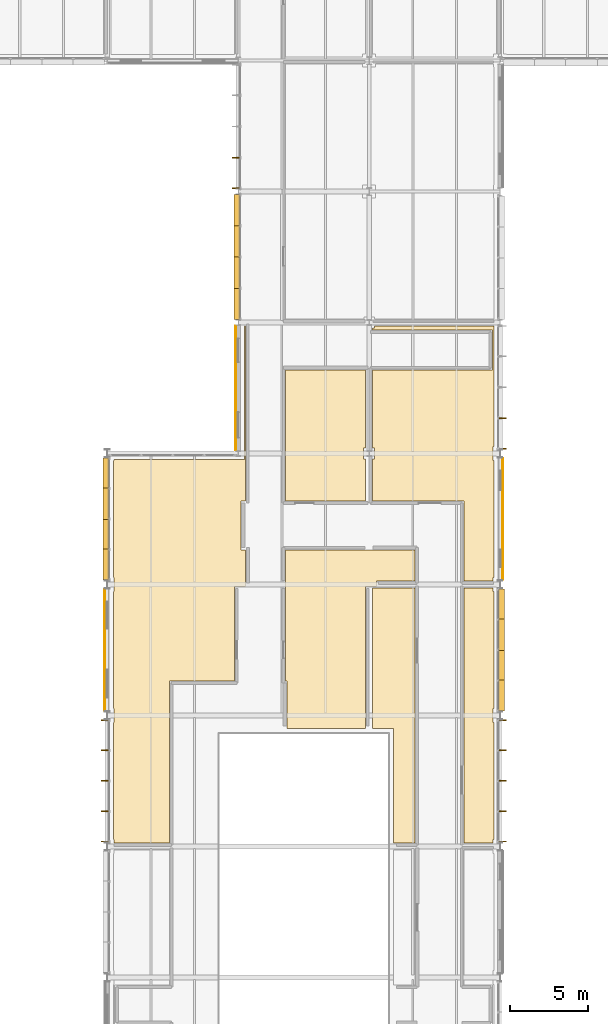
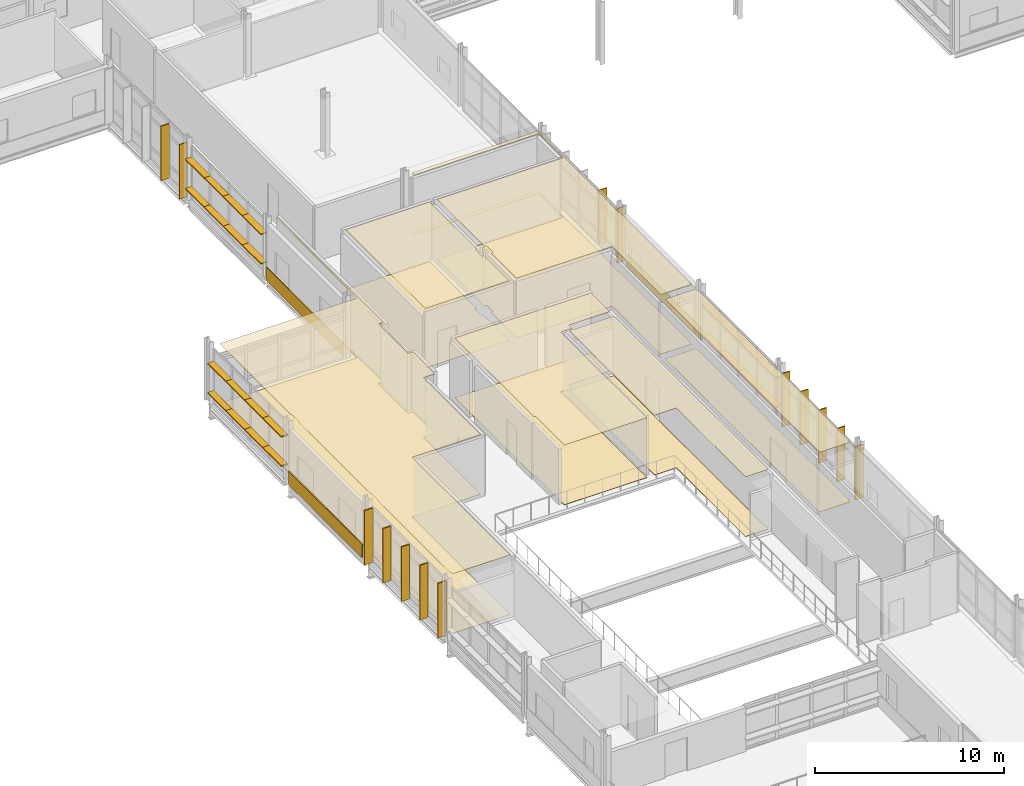
# One storey, part 124 of 131: 38 shading devices, 15 coverings.
"""IFC4 building model written with IfcOpenShell, lengths in metres."""

from ifc_helpers import new_model, si_unit, direction, frame, origin, origin_2d, place, context, subcontext, project, spatial, polyline, rectangle, outline, extrude, material, layer, layer_set, type_object, element, save


model = new_model("IFC4")

# Units and contexts
model_context = context("Model", 3, precision=1e-05, world=origin(), true_north=direction((0.0, 1.0)))
body_context = subcontext(model_context, "Body", "Model", "MODEL_VIEW")
ifc_project = project(units=[si_unit("LENGTHUNIT", "METRE"), si_unit("AREAUNIT", "SQUARE_METRE"), si_unit("VOLUMEUNIT", "CUBIC_METRE"), si_unit("PLANEANGLEUNIT", "RADIAN"), si_unit("MASSUNIT", "GRAM", prefix="KILO")], contexts=[model_context])

# Site, building, storey
site_placement = place(None, origin())
site = spatial("IfcSite", under=ifc_project, at=site_placement, CompositionType="ELEMENT")
building_placement = place(site_placement, origin())
building = spatial("IfcBuilding", under=site, at=building_placement, Name="Mersafa Astral City Hall", CompositionType="ELEMENT")
storey_placement = place(building_placement, frame((0.0, 0.0, 13.949951171875)))
storey = spatial("IfcBuildingStorey", under=building, at=storey_placement, Name="L03", CompositionType="ELEMENT", Elevation=13.949951171875)

# Coverings
ifc_material_1 = material(Name="Cairo Mokattam buff limestone cladding", Category="masonry")
ifc_layer_1 = layer(ifc_material_1, 0.06005859375, Name="Cairo Mokattam buff limestone cladding")
ifc_layer_set_1 = layer_set([ifc_layer_1], Name="Cairo Mokattam buff limestone cladding — ENV-COV-LIMESTONE-60")
covering_type_1 = type_object("IfcCoveringType", Name="ENV-COV-LIMESTONE-60", PredefinedType="CLADDING", material=ifc_layer_set_1)
covering_1_placement = place(storey_placement, frame((117.76953125, 88.199951171875, 0.0), z_axis=(0.0, 0.0, 1.0), x_axis=(0.0, 1.0, 0.0)))
element("IfcCovering", 1, at=covering_1_placement, inside=storey, type_object=covering_type_1, Name="L03 Cairo buff limestone rainscreen cladding 221", PredefinedType="CLADDING", context=body_context, shape_type="SweptSolid", body=[
    extrude(rectangle(XDim=7.798095703125, YDim=0.06005859375, at=origin_2d()), origin(), (0.0, 0.0, 1.0), 0.860107421875),
])
covering_2_placement = place(storey_placement, frame((100.6455078125, 96.594970703125, 0.0), z_axis=(0.0, 0.0, 1.0), x_axis=(0.0, -1.0, 0.0)))
element("IfcCovering", 2, at=covering_2_placement, inside=storey, type_object=covering_type_1, Name="L03 Cairo buff limestone rainscreen cladding 265", PredefinedType="CLADDING", context=body_context, shape_type="SweptSolid", body=[
    extrude(rectangle(XDim=7.998046875, YDim=0.06005859375, at=origin_2d()), origin(), (0.0, 0.0, 1.0), 0.860107421875),
])
covering_3_placement = place(storey_placement, frame((92.2529296875, 79.800048828125, 0.0), z_axis=(0.0, 0.0, 1.0), x_axis=(0.0, -1.0, 0.0)))
element("IfcCovering", 3, at=covering_3_placement, inside=storey, type_object=covering_type_1, Name="L03 Cairo buff limestone rainscreen cladding 266", PredefinedType="CLADDING", context=body_context, shape_type="SweptSolid", body=[
    extrude(rectangle(XDim=7.798095703125, YDim=0.06005859375, at=origin_2d()), origin(), (0.0, 0.0, 1.0), 0.860107421875),
])

# Shading devices
ifc_material_2 = material(Name="Anodised bronze aluminium solar fin", Category="aluminium")
shading_device_type_1 = type_object("IfcShadingDeviceType", Name="ENV-SHD-FIN-500A", PredefinedType="USERDEFINED", material=ifc_material_2)
for number, where, z_axis, x_axis, name in (
    (4, (117.7451171875, 67.51708984375, -0.014892578125), (0.0, 0.0, 1.0), (0.0, 1.0, 0.0), "L03 Vertical bronze solar fin 981"),
    (5, (117.7451171875, 69.443603515625, -0.014892578125), (0.0, 0.0, 1.0), (0.0, 1.0, 0.0), "L03 Vertical bronze solar fin 982"),
    (6, (117.7451171875, 71.39990234375, -0.014892578125), (0.0, 0.0, 1.0), (0.0, 1.0, 0.0), "L03 Vertical bronze solar fin 983"),
    (7, (117.7451171875, 73.3564453125, -0.014892578125), (0.0, 0.0, 1.0), (0.0, 1.0, 0.0), "L03 Vertical bronze solar fin 984"),
    (8, (117.7451171875, 75.282958984375, -0.014892578125), (0.0, 0.0, 1.0), (0.0, 1.0, 0.0), "L03 Vertical bronze solar fin 985"),
):
    element("IfcShadingDevice", number, at=place(storey_placement, frame(where, z_axis=z_axis, x_axis=x_axis)), inside=storey, type_object=shading_device_type_1, Name=name, ObjectType="FIN", PredefinedType="USERDEFINED", context=body_context, shape_type="SweptSolid", body=[
        extrude(rectangle(XDim=0.06005859375, YDim=0.5, at=origin_2d()), origin(), (0.0, 0.0, 1.0), 3.43701171875),
    ])
for number, where, z_axis, x_axis, name in (
    (9, (117.7451171875, 92.717041015625, -0.01513671875), (0.0, 0.0, 1.0), (0.0, 1.0, 0.0), "L03 Vertical bronze solar fin 994"),
    (10, (117.7451171875, 94.667236328125, -0.01513671875), (0.0, 0.0, 1.0), (0.0, 1.0, 0.0), "L03 Vertical bronze solar fin 995"),
    (11, (100.655029296875, 111.377197265625, -0.01513671875), (0.0, 0.0, 1.0), (0.0, -1.0, 0.0), "L03 Vertical bronze solar fin 1163"),
    (12, (100.655029296875, 109.412109375, -0.01513671875), (0.0, 0.0, 1.0), (0.0, -1.0, 0.0), "L03 Vertical bronze solar fin 1164"),
    (13, (92.2548828125, 75.282958984375, -0.01513671875), (0.0, 0.0, 1.0), (0.0, -1.0, 0.0), "L03 Vertical bronze solar fin 1181"),
    (14, (92.2548828125, 73.3564453125, -0.01513671875), (0.0, 0.0, 1.0), (0.0, -1.0, 0.0), "L03 Vertical bronze solar fin 1182"),
    (15, (92.2548828125, 71.39990234375, -0.01513671875), (0.0, 0.0, 1.0), (0.0, -1.0, 0.0), "L03 Vertical bronze solar fin 1183"),
    (16, (92.2548828125, 69.443603515625, -0.01513671875), (0.0, 0.0, 1.0), (0.0, -1.0, 0.0), "L03 Vertical bronze solar fin 1184"),
    (17, (92.2548828125, 67.51708984375, -0.01513671875), (0.0, 0.0, 1.0), (0.0, -1.0, 0.0), "L03 Vertical bronze solar fin 1185"),
):
    element("IfcShadingDevice", number, at=place(storey_placement, frame(where, z_axis=z_axis, x_axis=x_axis)), inside=storey, type_object=shading_device_type_1, Name=name, ObjectType="FIN", PredefinedType="USERDEFINED", context=body_context, shape_type="SweptSolid", body=[
        extrude(rectangle(XDim=0.06005859375, YDim=0.5, at=origin_2d()), origin(), (0.0, 0.0, 1.0), 3.527099609375),
    ])
ifc_material_3 = material(Name="Kiln-dried cedar timber brise-soleil blade", Category="wood")
shading_device_type_2 = type_object("IfcShadingDeviceType", Name="ENV-SHD-LOUVRE-380", PredefinedType="JALOUSIE", material=ifc_material_3)
shading_device_1_placement = place(storey_placement, frame((117.679931640625, 76.88037109375, 0.81494140625), z_axis=(0.0, 0.0, 1.0), x_axis=(0.0, 1.0, 0.0)))
element("IfcShadingDevice", 18, at=shading_device_1_placement, inside=storey, type_object=shading_device_type_2, Name="L03 Horizontal cedar brise-soleil louvre 986", PredefinedType="JALOUSIE", context=body_context, shape_type="SweptSolid", body=[
    extrude(rectangle(XDim=1.966552734375, YDim=0.3798828125, at=origin_2d()), origin(), (0.0, 0.0, 1.0), 0.070068359375),
])
for number, where, z_axis, x_axis, name in (
    (19, (117.679931640625, 78.82177734375, 0.81494140625), (0.0, 0.0, 1.0), (0.0, 1.0, 0.0), "L03 Horizontal cedar brise-soleil louvre 987"),
    (20, (117.679931640625, 80.7783203125, 0.81494140625), (0.0, 0.0, 1.0), (0.0, 1.0, 0.0), "L03 Horizontal cedar brise-soleil louvre 988"),
):
    element("IfcShadingDevice", number, at=place(storey_placement, frame(where, z_axis=z_axis, x_axis=x_axis)), inside=storey, type_object=shading_device_type_2, Name=name, PredefinedType="JALOUSIE", context=body_context, shape_type="SweptSolid", body=[
        extrude(rectangle(XDim=1.99658203125, YDim=0.3798828125, at=origin_2d()), origin(), (0.0, 0.0, 1.0), 0.070068359375),
    ])
for number, where, z_axis, x_axis, name in (
    (21, (117.679931640625, 82.7197265625, 0.81494140625), (0.0, 0.0, 1.0), (0.0, 1.0, 0.0), "L03 Horizontal cedar brise-soleil louvre 989"),
    (22, (117.679931640625, 76.88037109375, 2.71484375), (0.0, 0.0, 1.0), (0.0, 1.0, 0.0), "L03 Horizontal cedar brise-soleil louvre 990"),
):
    element("IfcShadingDevice", number, at=place(storey_placement, frame(where, z_axis=z_axis, x_axis=x_axis)), inside=storey, type_object=shading_device_type_2, Name=name, PredefinedType="JALOUSIE", context=body_context, shape_type="SweptSolid", body=[
        extrude(rectangle(XDim=1.966552734375, YDim=0.3798828125, at=origin_2d()), origin(), (0.0, 0.0, 1.0), 0.070068359375),
    ])
for number, where, z_axis, x_axis, name in (
    (23, (117.679931640625, 78.82177734375, 2.71484375), (0.0, 0.0, 1.0), (0.0, 1.0, 0.0), "L03 Horizontal cedar brise-soleil louvre 991"),
    (24, (117.679931640625, 80.7783203125, 2.71484375), (0.0, 0.0, 1.0), (0.0, 1.0, 0.0), "L03 Horizontal cedar brise-soleil louvre 992"),
):
    element("IfcShadingDevice", number, at=place(storey_placement, frame(where, z_axis=z_axis, x_axis=x_axis)), inside=storey, type_object=shading_device_type_2, Name=name, PredefinedType="JALOUSIE", context=body_context, shape_type="SweptSolid", body=[
        extrude(rectangle(XDim=1.99658203125, YDim=0.3798828125, at=origin_2d()), origin(), (0.0, 0.0, 1.0), 0.070068359375),
    ])
shading_device_2_placement = place(storey_placement, frame((117.679931640625, 82.7197265625, 2.71484375), z_axis=(0.0, 0.0, 1.0), x_axis=(0.0, 1.0, 0.0)))
element("IfcShadingDevice", 25, at=shading_device_2_placement, inside=storey, type_object=shading_device_type_2, Name="L03 Horizontal cedar brise-soleil louvre 993", PredefinedType="JALOUSIE", context=body_context, shape_type="SweptSolid", body=[
    extrude(rectangle(XDim=1.966552734375, YDim=0.3798828125, at=origin_2d()), origin(), (0.0, 0.0, 1.0), 0.070068359375),
])
shading_device_3_placement = place(storey_placement, frame((100.719970703125, 107.999755859375, 0.81494140625), z_axis=(0.0, 0.0, 1.0), x_axis=(0.0, -1.0, 0.0)))
element("IfcShadingDevice", 26, at=shading_device_3_placement, inside=storey, type_object=shading_device_type_2, Name="L03 Horizontal cedar brise-soleil louvre 1165", PredefinedType="JALOUSIE", context=body_context, shape_type="SweptSolid", body=[
    extrude(rectangle(XDim=2.0166015625, YDim=0.3798828125, at=origin_2d()), origin(), (0.0, 0.0, 1.0), 0.070068359375),
])
for number, where, z_axis, x_axis, name in (
    (27, (100.719970703125, 106.00830078125, 0.81494140625), (0.0, 0.0, 1.0), (0.0, -1.0, 0.0), "L03 Horizontal cedar brise-soleil louvre 1166"),
    (28, (100.719970703125, 104.001708984375, 0.81494140625), (0.0, 0.0, 1.0), (0.0, -1.0, 0.0), "L03 Horizontal cedar brise-soleil louvre 1167"),
):
    element("IfcShadingDevice", number, at=place(storey_placement, frame(where, z_axis=z_axis, x_axis=x_axis)), inside=storey, type_object=shading_device_type_2, Name=name, PredefinedType="JALOUSIE", context=body_context, shape_type="SweptSolid", body=[
        extrude(rectangle(XDim=2.04638671875, YDim=0.3798828125, at=origin_2d()), origin(), (0.0, 0.0, 1.0), 0.070068359375),
    ])
for number, where, z_axis, x_axis, name in (
    (29, (100.719970703125, 102.01025390625, 0.81494140625), (0.0, 0.0, 1.0), (0.0, -1.0, 0.0), "L03 Horizontal cedar brise-soleil louvre 1168"),
    (30, (100.719970703125, 107.999755859375, 2.71484375), (0.0, 0.0, 1.0), (0.0, -1.0, 0.0), "L03 Horizontal cedar brise-soleil louvre 1169"),
):
    element("IfcShadingDevice", number, at=place(storey_placement, frame(where, z_axis=z_axis, x_axis=x_axis)), inside=storey, type_object=shading_device_type_2, Name=name, PredefinedType="JALOUSIE", context=body_context, shape_type="SweptSolid", body=[
        extrude(rectangle(XDim=2.0166015625, YDim=0.3798828125, at=origin_2d()), origin(), (0.0, 0.0, 1.0), 0.070068359375),
    ])
for number, where, z_axis, x_axis, name in (
    (31, (100.719970703125, 106.00830078125, 2.71484375), (0.0, 0.0, 1.0), (0.0, -1.0, 0.0), "L03 Horizontal cedar brise-soleil louvre 1170"),
    (32, (100.719970703125, 104.001708984375, 2.71484375), (0.0, 0.0, 1.0), (0.0, -1.0, 0.0), "L03 Horizontal cedar brise-soleil louvre 1171"),
):
    element("IfcShadingDevice", number, at=place(storey_placement, frame(where, z_axis=z_axis, x_axis=x_axis)), inside=storey, type_object=shading_device_type_2, Name=name, PredefinedType="JALOUSIE", context=body_context, shape_type="SweptSolid", body=[
        extrude(rectangle(XDim=2.04638671875, YDim=0.3798828125, at=origin_2d()), origin(), (0.0, 0.0, 1.0), 0.070068359375),
    ])
shading_device_4_placement = place(storey_placement, frame((100.719970703125, 102.01025390625, 2.71484375), z_axis=(0.0, 0.0, 1.0), x_axis=(0.0, -1.0, 0.0)))
element("IfcShadingDevice", 33, at=shading_device_4_placement, inside=storey, type_object=shading_device_type_2, Name="L03 Horizontal cedar brise-soleil louvre 1172", PredefinedType="JALOUSIE", context=body_context, shape_type="SweptSolid", body=[
    extrude(rectangle(XDim=2.0166015625, YDim=0.3798828125, at=origin_2d()), origin(), (0.0, 0.0, 1.0), 0.070068359375),
])
shading_device_5_placement = place(storey_placement, frame((92.320068359375, 91.11962890625, 0.81494140625), z_axis=(0.0, 0.0, 1.0), x_axis=(0.0, -1.0, 0.0)))
element("IfcShadingDevice", 34, at=shading_device_5_placement, inside=storey, type_object=shading_device_type_2, Name="L03 Horizontal cedar brise-soleil louvre 1173", PredefinedType="JALOUSIE", context=body_context, shape_type="SweptSolid", body=[
    extrude(rectangle(XDim=1.966552734375, YDim=0.3798828125, at=origin_2d()), origin(), (0.0, 0.0, 1.0), 0.070068359375),
])
for number, where, z_axis, x_axis, name in (
    (35, (92.320068359375, 89.17822265625, 0.81494140625), (0.0, 0.0, 1.0), (0.0, -1.0, 0.0), "L03 Horizontal cedar brise-soleil louvre 1174"),
    (36, (92.320068359375, 87.2216796875, 0.81494140625), (0.0, 0.0, 1.0), (0.0, -1.0, 0.0), "L03 Horizontal cedar brise-soleil louvre 1175"),
):
    element("IfcShadingDevice", number, at=place(storey_placement, frame(where, z_axis=z_axis, x_axis=x_axis)), inside=storey, type_object=shading_device_type_2, Name=name, PredefinedType="JALOUSIE", context=body_context, shape_type="SweptSolid", body=[
        extrude(rectangle(XDim=1.99658203125, YDim=0.3798828125, at=origin_2d()), origin(), (0.0, 0.0, 1.0), 0.070068359375),
    ])
for number, where, z_axis, x_axis, name in (
    (37, (92.320068359375, 85.2802734375, 0.81494140625), (0.0, 0.0, 1.0), (0.0, -1.0, 0.0), "L03 Horizontal cedar brise-soleil louvre 1176"),
    (38, (92.320068359375, 91.11962890625, 2.71484375), (0.0, 0.0, 1.0), (0.0, -1.0, 0.0), "L03 Horizontal cedar brise-soleil louvre 1177"),
):
    element("IfcShadingDevice", number, at=place(storey_placement, frame(where, z_axis=z_axis, x_axis=x_axis)), inside=storey, type_object=shading_device_type_2, Name=name, PredefinedType="JALOUSIE", context=body_context, shape_type="SweptSolid", body=[
        extrude(rectangle(XDim=1.966552734375, YDim=0.3798828125, at=origin_2d()), origin(), (0.0, 0.0, 1.0), 0.070068359375),
    ])
for number, where, z_axis, x_axis, name in (
    (39, (92.320068359375, 89.17822265625, 2.71484375), (0.0, 0.0, 1.0), (0.0, -1.0, 0.0), "L03 Horizontal cedar brise-soleil louvre 1178"),
    (40, (92.320068359375, 87.2216796875, 2.71484375), (0.0, 0.0, 1.0), (0.0, -1.0, 0.0), "L03 Horizontal cedar brise-soleil louvre 1179"),
):
    element("IfcShadingDevice", number, at=place(storey_placement, frame(where, z_axis=z_axis, x_axis=x_axis)), inside=storey, type_object=shading_device_type_2, Name=name, PredefinedType="JALOUSIE", context=body_context, shape_type="SweptSolid", body=[
        extrude(rectangle(XDim=1.99658203125, YDim=0.3798828125, at=origin_2d()), origin(), (0.0, 0.0, 1.0), 0.070068359375),
    ])
shading_device_6_placement = place(storey_placement, frame((92.320068359375, 85.2802734375, 2.71484375), z_axis=(0.0, 0.0, 1.0), x_axis=(0.0, -1.0, 0.0)))
element("IfcShadingDevice", 41, at=shading_device_6_placement, inside=storey, type_object=shading_device_type_2, Name="L03 Horizontal cedar brise-soleil louvre 1180", PredefinedType="JALOUSIE", context=body_context, shape_type="SweptSolid", body=[
    extrude(rectangle(XDim=1.966552734375, YDim=0.3798828125, at=origin_2d()), origin(), (0.0, 0.0, 1.0), 0.070068359375),
])

# Coverings
ifc_material_4 = material(Name="Perforated acoustic gypsum board ceiling", Category="gypsum")
ifc_layer_2 = layer(ifc_material_4, 0.02490234375, Name="Perforated acoustic gypsum board ceiling")
ifc_layer_set_2 = layer_set([ifc_layer_2], Name="Perforated acoustic gypsum board ceiling — INT-COV-CEIL-25")
covering_type_2 = type_object("IfcCoveringType", Name="INT-COV-CEIL-25", PredefinedType="CEILING", material=ifc_layer_set_2)
covering_4_placement = place(storey_placement, frame((0.0, 0.0, 3.845947265625)))
element("IfcCovering", 42, at=covering_4_placement, inside=storey, type_object=covering_type_2, Name="L03 Urban Planning Studio L03-02 acoustic ceiling", PredefinedType="CEILING", context=body_context, shape_type="SweptSolid", body=[
    extrude(outline(polyline([(92.844970703125, 91.955078125), (92.844970703125, 92.0), (101.199951171875, 92.0), (101.199951171875, 100.570068359375), (101.280029296875, 100.570068359375), (101.280029296875, 89.360107421875), (100.989990234375, 89.360107421875), (100.989990234375, 86.219970703125), (101.280029296875, 86.219970703125), (101.280029296875, 84.22998046875), (101.27001953125, 84.22998046875), (101.27001953125, 83.8798828125), (100.570068359375, 83.8798828125), (100.570068359375, 77.820068359375), (96.3798828125, 77.820068359375), (96.3798828125, 67.429931640625), (92.844970703125, 67.429931640625), (92.844970703125, 67.64501953125), (92.800048828125, 67.64501953125), (92.800048828125, 75.155029296875), (92.844970703125, 75.155029296875), (92.844970703125, 76.044921875), (92.800048828125, 76.044921875), (92.800048828125, 83.554931640625), (92.844970703125, 83.554931640625), (92.844970703125, 84.445068359375), (92.800048828125, 84.445068359375), (92.800048828125, 91.955078125), (92.844970703125, 91.955078125)])), origin(), (0.0, 0.0, 1.0), 0.025146484375),
])
covering_5_placement = place(storey_placement, frame((0.0, 0.0, 3.845947265625)))
element("IfcCovering", 43, at=covering_5_placement, inside=storey, type_object=covering_type_2, Name="L03 Standing Committee Room L03-05 acoustic ceiling", PredefinedType="CEILING", context=body_context, shape_type="SweptSolid", body=[
    extrude(outline(polyline([(109.5400390625, 100.4599609375), (109.5400390625, 100.570068359375), (117.199951171875, 100.570068359375), (117.199951171875, 92.844970703125), (117.155029296875, 92.844970703125), (117.155029296875, 91.955078125), (117.199951171875, 91.955078125), (117.199951171875, 84.445068359375), (117.155029296875, 84.445068359375), (117.155029296875, 84.22998046875), (115.280029296875, 84.22998046875), (115.280029296875, 89.360107421875), (109.429931640625, 89.360107421875), (109.429931640625, 92.050048828125), (109.550048828125, 92.050048828125), (109.550048828125, 92.75), (109.429931640625, 92.75), (109.429931640625, 97.760009765625), (117.1201171875, 97.760009765625), (117.1201171875, 100.320068359375), (109.429931640625, 100.320068359375), (109.429931640625, 100.4599609375), (109.5400390625, 100.4599609375)])), origin(), (0.0, 0.0, 1.0), 0.025146484375),
])
covering_6_placement = place(storey_placement, frame((0.0, 0.0, 3.845947265625)))
element("IfcCovering", 44, at=covering_6_placement, inside=storey, type_object=covering_type_2, Name="L03 Municipal Administration Office L03-10 acoustic ceiling", PredefinedType="CEILING", context=body_context, shape_type="SweptSolid", body=[
    extrude(outline(polyline([(103.840087890625, 86.219970703125), (112.139892578125, 86.219970703125), (112.139892578125, 84.22998046875), (109.669921875, 84.22998046875), (109.669921875, 83.8798828125), (108.969970703125, 83.8798828125), (108.969970703125, 74.760009765625), (103.919921875, 74.760009765625), (103.919921875, 77.820068359375), (103.840087890625, 77.820068359375), (103.840087890625, 86.219970703125)])), origin(), (0.0, 0.0, 1.0), 0.025146484375),
])
covering_7_placement = place(storey_placement, frame((0.0, 0.0, 3.845947265625)))
element("IfcCovering", 45, at=covering_7_placement, inside=storey, type_object=covering_type_2, Name="L03 Civil Engineering Directorate Office L03-12 acoustic ceiling", PredefinedType="CEILING", context=body_context, shape_type="SweptSolid", body=[
    extrude(outline(polyline([(108.969970703125, 97.760009765625), (108.969970703125, 92.75), (108.85009765625, 92.75), (108.85009765625, 92.050048828125), (108.969970703125, 92.050048828125), (108.969970703125, 89.360107421875), (103.840087890625, 89.360107421875), (103.840087890625, 97.760009765625), (108.969970703125, 97.760009765625)])), origin(), (0.0, 0.0, 1.0), 0.025146484375),
])
covering_8_placement = place(storey_placement, frame((0.0, 0.0, 3.845947265625)))
element("IfcCovering", 46, at=covering_8_placement, inside=storey, type_object=covering_type_2, Name="L03 Legal Counsel & Legislation Office L03-24 acoustic ceiling", PredefinedType="CEILING", context=body_context, shape_type="SweptSolid", body=[
    extrude(outline(polyline([(112.139892578125, 83.77001953125), (112.139892578125, 67.429931640625), (110.760009765625, 67.429931640625), (110.760009765625, 74.760009765625), (109.429931640625, 74.760009765625), (109.429931640625, 83.77001953125), (112.139892578125, 83.77001953125)])), origin(), (0.0, 0.0, 1.0), 0.025146484375),
])
covering_9_placement = place(storey_placement, frame((0.0, 0.0, 3.845947265625)))
element("IfcCovering", 47, at=covering_9_placement, inside=storey, type_object=covering_type_2, Name="L03 Public Procurement Review Room L03-25 acoustic ceiling", PredefinedType="CEILING", context=body_context, shape_type="SweptSolid", body=[
    extrude(outline(polyline([(115.280029296875, 83.77001953125), (117.155029296875, 83.77001953125), (117.155029296875, 83.554931640625), (117.199951171875, 83.554931640625), (117.199951171875, 76.044921875), (117.155029296875, 76.044921875), (117.155029296875, 75.155029296875), (117.199951171875, 75.155029296875), (117.199951171875, 67.64501953125), (117.155029296875, 67.64501953125), (117.155029296875, 67.429931640625), (115.280029296875, 67.429931640625), (115.280029296875, 83.77001953125)])), origin(), (0.0, 0.0, 1.0), 0.025146484375),
])
ifc_material_5 = material(Name="Heavy-duty woven acoustic carpet tile", Category="finish")
ifc_layer_3 = layer(ifc_material_5, 0.014892578125, Name="Heavy-duty woven acoustic carpet tile")
ifc_layer_set_3 = layer_set([ifc_layer_3], Name="Heavy-duty woven acoustic carpet tile — INT-COV-FLR-15")
covering_type_3 = type_object("IfcCoveringType", Name="INT-COV-FLR-15", PredefinedType="FLOORING", material=ifc_layer_set_3)
covering_10_placement = place(storey_placement, frame((0.0, 0.0, -0.00146484375)))
element("IfcCovering", 48, at=covering_10_placement, inside=storey, type_object=covering_type_3, Name="L03 Urban Planning Studio L03-02 architectural flooring", PredefinedType="FLOORING", context=body_context, shape_type="SweptSolid", body=[
    extrude(outline(polyline([(92.844970703125, 91.955078125), (92.844970703125, 92.0), (101.199951171875, 92.0), (101.199951171875, 100.570068359375), (101.280029296875, 100.570068359375), (101.280029296875, 89.360107421875), (100.989990234375, 89.360107421875), (100.989990234375, 86.219970703125), (101.280029296875, 86.219970703125), (101.280029296875, 84.22998046875), (101.27001953125, 84.22998046875), (101.27001953125, 83.8798828125), (100.570068359375, 83.8798828125), (100.570068359375, 77.820068359375), (96.3798828125, 77.820068359375), (96.3798828125, 67.429931640625), (92.844970703125, 67.429931640625), (92.844970703125, 67.64501953125), (92.800048828125, 67.64501953125), (92.800048828125, 75.155029296875), (92.844970703125, 75.155029296875), (92.844970703125, 76.044921875), (92.800048828125, 76.044921875), (92.800048828125, 83.554931640625), (92.844970703125, 83.554931640625), (92.844970703125, 84.445068359375), (92.800048828125, 84.445068359375), (92.800048828125, 91.955078125), (92.844970703125, 91.955078125)])), origin(), (0.0, 0.0, 1.0), 0.014892578125),
])
covering_11_placement = place(storey_placement, frame((0.0, 0.0, -0.00146484375)))
element("IfcCovering", 49, at=covering_11_placement, inside=storey, type_object=covering_type_3, Name="L03 Standing Committee Room L03-05 architectural flooring", PredefinedType="FLOORING", context=body_context, shape_type="SweptSolid", body=[
    extrude(outline(polyline([(109.5400390625, 100.4599609375), (109.5400390625, 100.570068359375), (117.199951171875, 100.570068359375), (117.199951171875, 92.844970703125), (117.155029296875, 92.844970703125), (117.155029296875, 91.955078125), (117.199951171875, 91.955078125), (117.199951171875, 84.445068359375), (117.155029296875, 84.445068359375), (117.155029296875, 84.22998046875), (115.280029296875, 84.22998046875), (115.280029296875, 89.360107421875), (109.429931640625, 89.360107421875), (109.429931640625, 92.050048828125), (109.550048828125, 92.050048828125), (109.550048828125, 92.75), (109.429931640625, 92.75), (109.429931640625, 97.760009765625), (117.1201171875, 97.760009765625), (117.1201171875, 100.320068359375), (109.429931640625, 100.320068359375), (109.429931640625, 100.4599609375), (109.5400390625, 100.4599609375)])), origin(), (0.0, 0.0, 1.0), 0.014892578125),
])
covering_12_placement = place(storey_placement, frame((0.0, 0.0, -0.00146484375)))
element("IfcCovering", 50, at=covering_12_placement, inside=storey, type_object=covering_type_3, Name="L03 Municipal Administration Office L03-10 architectural flooring", PredefinedType="FLOORING", context=body_context, shape_type="SweptSolid", body=[
    extrude(outline(polyline([(103.840087890625, 86.219970703125), (112.139892578125, 86.219970703125), (112.139892578125, 84.22998046875), (109.669921875, 84.22998046875), (109.669921875, 83.8798828125), (108.969970703125, 83.8798828125), (108.969970703125, 74.760009765625), (103.919921875, 74.760009765625), (103.919921875, 77.820068359375), (103.840087890625, 77.820068359375), (103.840087890625, 86.219970703125)])), origin(), (0.0, 0.0, 1.0), 0.014892578125),
])
covering_13_placement = place(storey_placement, frame((0.0, 0.0, -0.00146484375)))
element("IfcCovering", 51, at=covering_13_placement, inside=storey, type_object=covering_type_3, Name="L03 Civil Engineering Directorate Office L03-12 architectural flooring", PredefinedType="FLOORING", context=body_context, shape_type="SweptSolid", body=[
    extrude(outline(polyline([(108.969970703125, 97.760009765625), (108.969970703125, 92.75), (108.85009765625, 92.75), (108.85009765625, 92.050048828125), (108.969970703125, 92.050048828125), (108.969970703125, 89.360107421875), (103.840087890625, 89.360107421875), (103.840087890625, 97.760009765625), (108.969970703125, 97.760009765625)])), origin(), (0.0, 0.0, 1.0), 0.014892578125),
])
covering_14_placement = place(storey_placement, frame((0.0, 0.0, -0.00146484375)))
element("IfcCovering", 52, at=covering_14_placement, inside=storey, type_object=covering_type_3, Name="L03 Legal Counsel & Legislation Office L03-24 architectural flooring", PredefinedType="FLOORING", context=body_context, shape_type="SweptSolid", body=[
    extrude(outline(polyline([(112.139892578125, 83.77001953125), (112.139892578125, 67.429931640625), (110.760009765625, 67.429931640625), (110.760009765625, 74.760009765625), (109.429931640625, 74.760009765625), (109.429931640625, 83.77001953125), (112.139892578125, 83.77001953125)])), origin(), (0.0, 0.0, 1.0), 0.014892578125),
])
covering_15_placement = place(storey_placement, frame((0.0, 0.0, -0.00146484375)))
element("IfcCovering", 53, at=covering_15_placement, inside=storey, type_object=covering_type_3, Name="L03 Public Procurement Review Room L03-25 architectural flooring", PredefinedType="FLOORING", context=body_context, shape_type="SweptSolid", body=[
    extrude(outline(polyline([(115.280029296875, 83.77001953125), (117.155029296875, 83.77001953125), (117.155029296875, 83.554931640625), (117.199951171875, 83.554931640625), (117.199951171875, 76.044921875), (117.155029296875, 76.044921875), (117.155029296875, 75.155029296875), (117.199951171875, 75.155029296875), (117.199951171875, 67.64501953125), (117.155029296875, 67.64501953125), (117.155029296875, 67.429931640625), (115.280029296875, 67.429931640625), (115.280029296875, 83.77001953125)])), origin(), (0.0, 0.0, 1.0), 0.014892578125),
])

save(model, "model.ifc")
